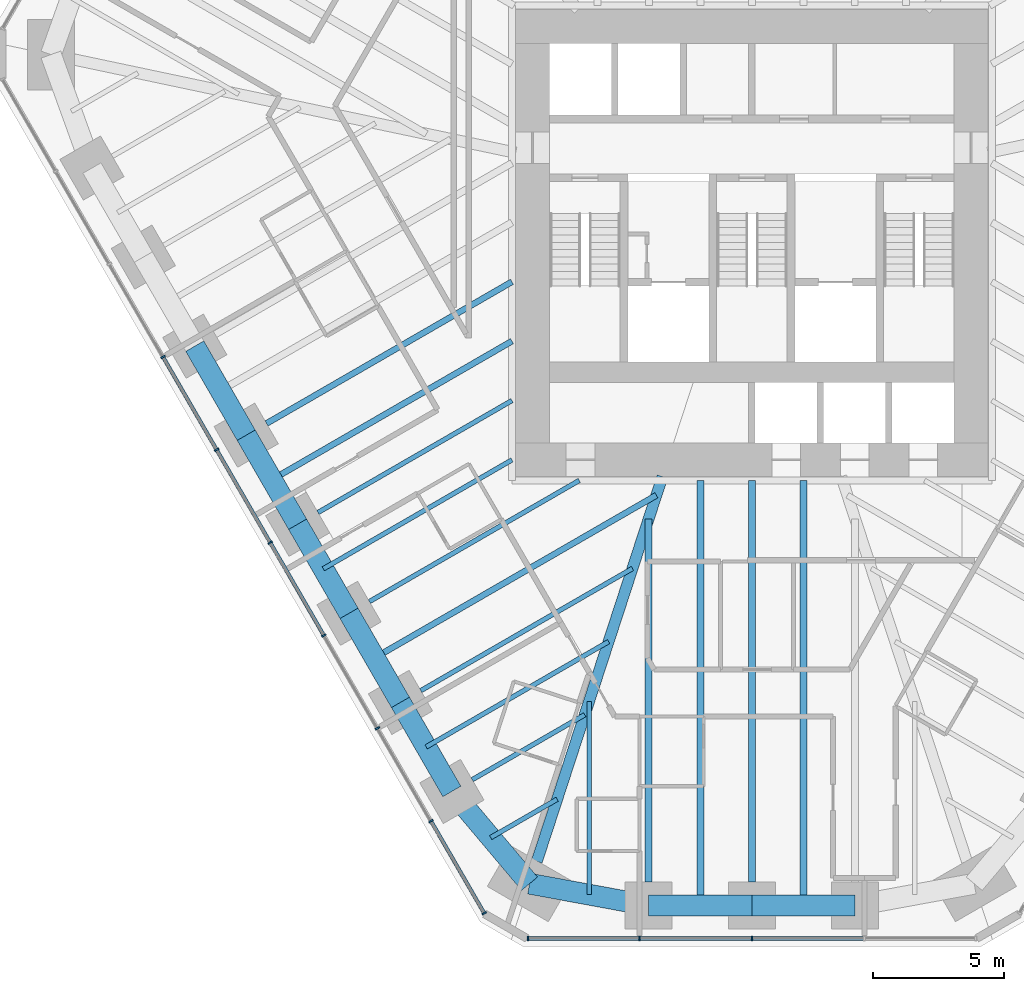
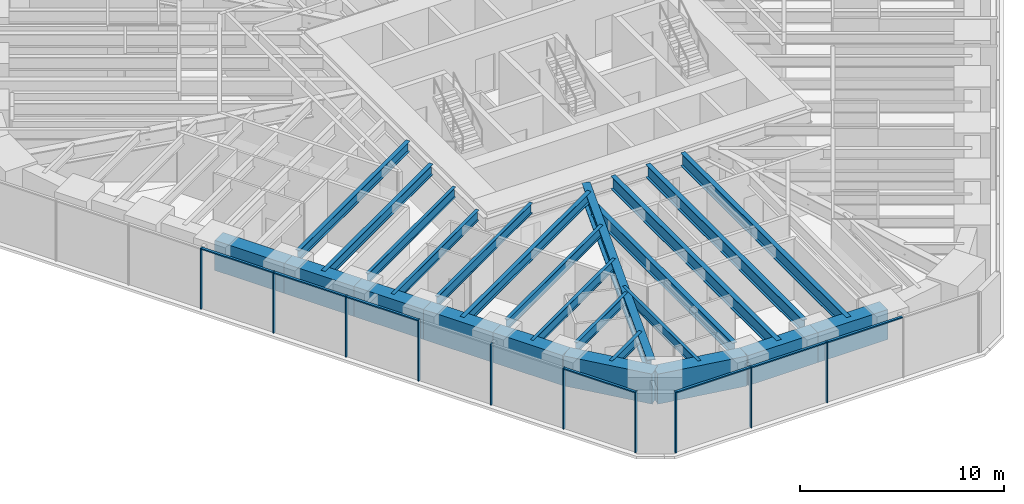
# One storey, part 2 of 17: 25 beams, 17 members, 2 elements without a shape of their own.
"""IFC4 building model written with IfcOpenShell, lengths in metres."""

from ifc_helpers import new_model, si_unit, direction, frame, origin, origin_2d, place, context, subcontext, project, spatial, rectangle, i_section, extrude, material, material_profile, profile_set, type_object, element, aggregate, save


model = new_model("IFC4")

# Units and contexts
model_context = context("Model", 3, precision=1e-05, world=origin(), true_north=direction((0.0, 1.0)))
body_context = subcontext(model_context, "Body", "Model", "MODEL_VIEW")
ifc_project = project(units=[si_unit("LENGTHUNIT", "METRE"), si_unit("AREAUNIT", "SQUARE_METRE"), si_unit("VOLUMEUNIT", "CUBIC_METRE"), si_unit("PLANEANGLEUNIT", "RADIAN"), si_unit("MASSUNIT", "GRAM", prefix="KILO")], contexts=[model_context])

# Site, building, storey
site_placement = place(None, origin())
site = spatial("IfcSite", under=ifc_project, at=site_placement, CompositionType="ELEMENT")
building_placement = place(site_placement, origin())
building = spatial("IfcBuilding", under=site, at=building_placement, Name="Sandreach Pilgrim Tower", CompositionType="ELEMENT")
storey_placement = place(building_placement, frame((0.0, 0.0, 127.199951171875)))
storey = spatial("IfcBuildingStorey", under=building, at=storey_placement, Name="L31", CompositionType="ELEMENT", Elevation=127.199951171875)

# Curtain wall, members
ifc_material_1 = material(Name="Aluminium framed curtain wall", Category="aluminium")
curtain_wall_type = type_object("IfcCurtainWallType", Name="Hotel tower curtain wall", PredefinedType="NOTDEFINED", material=ifc_material_1)
curtain_wall_1_placement = place(storey_placement, origin())
curtain_wall_1 = element("IfcCurtainWall", 1, at=curtain_wall_1_placement, inside=storey, type_object=curtain_wall_type, Name="CW-2 L31 S", PredefinedType="NOTDEFINED")
ifc_material_2 = material(Name="Aluminium extrusion", Category="aluminium")
ifc_material_profile_1 = material_profile(ifc_material_2, rectangle(XDim=0.06494140625, YDim=0.179931640625, at=origin_2d()), Name="CW-2M 65X180")
ifc_profile_set_1 = profile_set([ifc_material_profile_1], Name="Aluminium extrusion")
member_type_1 = type_object("IfcMemberType", Name="CW-2 mullion", PredefinedType="MULLION", material=ifc_profile_set_1)
member_1_placement = place(storey_placement, frame((0.0, -28.192138671875, 0.0), z_axis=(0.0, 0.0, 1.0), x_axis=(-1.0, 0.0, 0.0)))
member_1 = element("IfcMember", 2, at=member_1_placement, type_object=member_type_1, Name="CW-2 mullion 3", PredefinedType="MULLION", context=body_context, shape_type="SweptSolid", body=[
    extrude(rectangle(XDim=0.06494140625, YDim=0.179931640625, at=origin_2d()), origin(), (0.0, 0.0, 1.0), 3.64013671875),
])
member_2_placement = place(storey_placement, frame((-4.3056640625, -28.192138671875, 0.0), z_axis=(0.0, 0.0, 1.0), x_axis=(-1.0, 0.0, 0.0)))
member_2 = element("IfcMember", 3, at=member_2_placement, type_object=member_type_1, Name="CW-2 mullion 4", PredefinedType="MULLION", context=body_context, shape_type="SweptSolid", body=[
    extrude(rectangle(XDim=0.06494140625, YDim=0.179931640625, at=origin_2d()), origin(), (0.0, 0.0, 1.0), 3.64013671875),
])
member_3_placement = place(storey_placement, frame((-8.578857421875, -28.192138671875, 0.0), z_axis=(0.0, 0.0, 1.0), x_axis=(-1.0, 0.0, 0.0)))
member_3 = element("IfcMember", 4, at=member_3_placement, type_object=member_type_1, Name="CW-2 mullion 5", PredefinedType="MULLION", context=body_context, shape_type="SweptSolid", body=[
    extrude(rectangle(XDim=0.06494140625, YDim=0.179931640625, at=origin_2d()), origin(), (0.0, 0.0, 1.0), 3.64013671875),
])

curtain_wall_2_placement = place(storey_placement, origin())
curtain_wall_2 = element("IfcCurtainWall", 5, at=curtain_wall_2_placement, inside=storey, type_object=curtain_wall_type, Name="CW-2 L31 SW", PredefinedType="NOTDEFINED")
member_4_placement = place(storey_placement, frame((-10.255859375, -27.22412109375, 0.0), z_axis=(0.0, 0.0, 1.0), x_axis=(-0.5, 0.866025403784, 0.0)))
member_4 = element("IfcMember", 6, at=member_4_placement, type_object=member_type_1, Name="CW-2 mullion 1", PredefinedType="MULLION", context=body_context, shape_type="SweptSolid", body=[
    extrude(rectangle(XDim=0.06494140625, YDim=0.179931640625, at=origin_2d()), origin(), (0.0, 0.0, 1.0), 3.64013671875),
])
member_5_placement = place(storey_placement, frame((-12.29296875, -23.695556640625, 0.0), z_axis=(0.0, 0.0, 1.0), x_axis=(-0.5, 0.866025403784, 0.0)))
member_5 = element("IfcMember", 7, at=member_5_placement, type_object=member_type_1, Name="CW-2 mullion 2", PredefinedType="MULLION", context=body_context, shape_type="SweptSolid", body=[
    extrude(rectangle(XDim=0.06494140625, YDim=0.179931640625, at=origin_2d()), origin(), (0.0, 0.0, 1.0), 3.64013671875),
])
member_6_placement = place(storey_placement, frame((-14.346435546875, -20.138671875, 0.0), z_axis=(0.0, 0.0, 1.0), x_axis=(-0.5, 0.866025403784, 0.0)))
member_6 = element("IfcMember", 8, at=member_6_placement, type_object=member_type_1, Name="CW-2 mullion 3", PredefinedType="MULLION", context=body_context, shape_type="SweptSolid", body=[
    extrude(rectangle(XDim=0.06494140625, YDim=0.179931640625, at=origin_2d()), origin(), (0.0, 0.0, 1.0), 3.64013671875),
])
member_7_placement = place(storey_placement, frame((-16.39990234375, -16.58203125, 0.0), z_axis=(0.0, 0.0, 1.0), x_axis=(-0.5, 0.866025403784, 0.0)))
member_7 = element("IfcMember", 9, at=member_7_placement, type_object=member_type_1, Name="CW-2 mullion 4", PredefinedType="MULLION", context=body_context, shape_type="SweptSolid", body=[
    extrude(rectangle(XDim=0.06494140625, YDim=0.179931640625, at=origin_2d()), origin(), (0.0, 0.0, 1.0), 3.64013671875),
])
member_8_placement = place(storey_placement, frame((-18.453369140625, -13.025146484375, 0.0), z_axis=(0.0, 0.0, 1.0), x_axis=(-0.5, 0.866025403784, 0.0)))
member_8 = element("IfcMember", 10, at=member_8_placement, type_object=member_type_1, Name="CW-2 mullion 5", PredefinedType="MULLION", context=body_context, shape_type="SweptSolid", body=[
    extrude(rectangle(XDim=0.06494140625, YDim=0.179931640625, at=origin_2d()), origin(), (0.0, 0.0, 1.0), 3.64013671875),
])
member_9_placement = place(storey_placement, frame((-20.5068359375, -9.468505859375, 0.0), z_axis=(0.0, 0.0, 1.0), x_axis=(-0.5, 0.866025403784, 0.0)))
member_9 = element("IfcMember", 11, at=member_9_placement, type_object=member_type_1, Name="CW-2 mullion 6", PredefinedType="MULLION", context=body_context, shape_type="SweptSolid", body=[
    extrude(rectangle(XDim=0.06494140625, YDim=0.179931640625, at=origin_2d()), origin(), (0.0, 0.0, 1.0), 3.64013671875),
])
member_10_placement = place(storey_placement, frame((-22.560302734375, -5.911865234375, 0.0), z_axis=(0.0, 0.0, 1.0), x_axis=(-0.5, 0.866025403784, 0.0)))
member_10 = element("IfcMember", 12, at=member_10_placement, type_object=member_type_1, Name="CW-2 mullion 7", PredefinedType="MULLION", context=body_context, shape_type="SweptSolid", body=[
    extrude(rectangle(XDim=0.06494140625, YDim=0.179931640625, at=origin_2d()), origin(), (0.0, 0.0, 1.0), 3.64013671875),
])

# Member
ifc_material_3 = material(Name="Aluminium extrusion", Category="aluminium")
ifc_material_profile_2 = material_profile(ifc_material_3, rectangle(XDim=0.139892578125, YDim=0.070068359375, at=origin_2d()), Name="CW-2T 140X70")
ifc_profile_set_2 = profile_set([ifc_material_profile_2], Name="Aluminium extrusion")
member_type_2 = type_object("IfcMemberType", Name="CW-2 transom", PredefinedType="USERDEFINED", material=ifc_profile_set_2)
member_11_placement = place(storey_placement, frame((4.273193359375, -28.192138671875, 3.60498046875), z_axis=(-1.0, 0.0, 0.0), x_axis=(0.0, -1.0, 0.0)))
member_11 = element("IfcMember", 13, at=member_11_placement, type_object=member_type_2, Name="CW-2 head transom 2", ObjectType="TRANSOM", PredefinedType="USERDEFINED", context=body_context, shape_type="SweptSolid", body=[
    extrude(rectangle(XDim=0.139892578125, YDim=0.070068359375, at=origin_2d()), origin(), (0.0, 0.0, 1.0), 4.24072265625),
])

member_12_placement = place(storey_placement, frame((-0.032470703125, -28.192138671875, 3.60498046875), z_axis=(-1.0, 0.0, 0.0), x_axis=(0.0, -1.0, 0.0)))
member_12 = element("IfcMember", 14, at=member_12_placement, type_object=member_type_2, Name="CW-2 head transom 3", ObjectType="TRANSOM", PredefinedType="USERDEFINED", context=body_context, shape_type="SweptSolid", body=[
    extrude(rectangle(XDim=0.139892578125, YDim=0.070068359375, at=origin_2d()), origin(), (0.0, 0.0, 1.0), 4.24072265625),
])

member_13_placement = place(storey_placement, frame((-4.338134765625, -28.192138671875, 3.60498046875), z_axis=(-1.0, 0.0, 0.0), x_axis=(0.0, -1.0, 0.0)))
member_13 = element("IfcMember", 15, at=member_13_placement, type_object=member_type_2, Name="CW-2 head transom 4", ObjectType="TRANSOM", PredefinedType="USERDEFINED", context=body_context, shape_type="SweptSolid", body=[
    extrude(rectangle(XDim=0.139892578125, YDim=0.070068359375, at=origin_2d()), origin(), (0.0, 0.0, 1.0), 4.208251953125),
])

aggregate(curtain_wall_1, [member_1, member_2, member_3, member_11, member_12, member_13])

member_14_placement = place(storey_placement, frame((-10.27197265625, -27.196044921875, 3.60498046875), z_axis=(-0.500015851672, 0.866016251624, 0.0), x_axis=(-0.866016251624, -0.500015851672, 0.0)))
member_14 = element("IfcMember", 16, at=member_14_placement, type_object=member_type_2, Name="CW-2 head transom 1", ObjectType="TRANSOM", PredefinedType="USERDEFINED", context=body_context, shape_type="SweptSolid", body=[
    extrude(rectangle(XDim=0.139892578125, YDim=0.070068359375, at=origin_2d()), origin(), (0.0, 0.0, 1.0), 4.009521484375),
])

member_15_placement = place(storey_placement, frame((-16.416259765625, -16.553955078125, 3.60498046875), z_axis=(-0.499997818338, 0.866026663364, 0.0), x_axis=(-0.866026663364, -0.499997818338, 0.0)))
member_15 = element("IfcMember", 17, at=member_15_placement, type_object=member_type_2, Name="CW-2 head transom 4", ObjectType="TRANSOM", PredefinedType="USERDEFINED", context=body_context, shape_type="SweptSolid", body=[
    extrude(rectangle(XDim=0.139892578125, YDim=0.070068359375, at=origin_2d()), origin(), (0.0, 0.0, 1.0), 4.0419921875),
])

member_16_placement = place(storey_placement, frame((-18.4697265625, -12.9970703125, 3.60498046875), z_axis=(-0.499997818338, 0.866026663364, 0.0), x_axis=(-0.866026663364, -0.499997818338, 0.0)))
member_16 = element("IfcMember", 18, at=member_16_placement, type_object=member_type_2, Name="CW-2 head transom 5", ObjectType="TRANSOM", PredefinedType="USERDEFINED", context=body_context, shape_type="SweptSolid", body=[
    extrude(rectangle(XDim=0.139892578125, YDim=0.070068359375, at=origin_2d()), origin(), (0.0, 0.0, 1.0), 4.0419921875),
])

member_17_placement = place(storey_placement, frame((-20.523193359375, -9.4404296875, 3.60498046875), z_axis=(-0.499997818338, 0.866026663364, 0.0), x_axis=(-0.866026663364, -0.499997818338, 0.0)))
member_17 = element("IfcMember", 19, at=member_17_placement, type_object=member_type_2, Name="CW-2 head transom 6", ObjectType="TRANSOM", PredefinedType="USERDEFINED", context=body_context, shape_type="SweptSolid", body=[
    extrude(rectangle(XDim=0.139892578125, YDim=0.070068359375, at=origin_2d()), origin(), (0.0, 0.0, 1.0), 4.0419921875),
])

aggregate(curtain_wall_2, [member_4, member_5, member_6, member_7, member_8, member_9, member_10, member_14, member_15, member_16, member_17])

# Beams
ifc_material_4 = material(Name="Steel ASTM A992 Grade 50", Category="steel")
ifc_material_profile_3 = material_profile(ifc_material_4, i_section(OverallWidth=0.421630859375, OverallDepth=0.95751953125, WebThickness=0.02587890625, FlangeThickness=0.046875, at=origin_2d()), Name="W36X330")
ifc_profile_set_3 = profile_set([ifc_material_profile_3], Name="Steel ASTM A992 Grade 50")
beam_type_1 = type_object("IfcBeamType", Name="Corner girder W36X330", PredefinedType="BEAM", material=ifc_profile_set_3)
beam_1_placement = place(storey_placement, frame((-8.238525390625, -25.23876953125, 3.161376953125), z_axis=(0.310307109519, 0.950636364643, 0.0), x_axis=(-0.950636364643, 0.310307109519, 0.0)))
element("IfcBeam", 20, at=beam_1_placement, inside=storey, type_object=beam_type_1, Name="BM L31 CG26", PredefinedType="BEAM", context=body_context, shape_type="SweptSolid", body=[
    extrude(i_section(OverallWidth=0.421630859375, OverallDepth=0.95751953125, WebThickness=0.02587890625, FlangeThickness=0.046875, at=origin_2d()), origin(), (0.0, 0.0, 1.0), 15.504150390625),
])
ifc_material_5 = material(Name="Steel ASTM A992 Grade 50", Category="steel")
ifc_material_profile_4 = material_profile(ifc_material_5, i_section(OverallWidth=0.1787109375, OverallDepth=0.60205078125, WebThickness=0.010986328125, FlangeThickness=0.014892578125, at=origin_2d()), Name="W24X62")
ifc_profile_set_4 = profile_set([ifc_material_profile_4], Name="Steel ASTM A992 Grade 50")
beam_type_2 = type_object("IfcBeamType", Name="Floor beam W24X62", PredefinedType="BEAM", material=ifc_profile_set_4)
beam_2_placement = place(storey_placement, frame((-10.714599609375, -22.109130859375, 3.339111328125), z_axis=(0.866024645457, 0.500001313459, 0.0), x_axis=(-0.500001313459, 0.866024645457, 0.0)))
element("IfcBeam", 21, at=beam_2_placement, inside=storey, type_object=beam_type_2, Name="BM L31 F27", PredefinedType="BEAM", context=body_context, shape_type="SweptSolid", body=[
    extrude(i_section(OverallWidth=0.1787109375, OverallDepth=0.60205078125, WebThickness=0.010986328125, FlangeThickness=0.014892578125, at=origin_2d()), origin(), (0.0, 0.0, 1.0), 4.9765625),
])
beam_3_placement = place(storey_placement, frame((-12.6845703125, -18.697265625, 3.339111328125), z_axis=(0.866012351917, 0.500022605817, 0.0), x_axis=(-0.500022605817, 0.866012351917, 0.0)))
element("IfcBeam", 22, at=beam_3_placement, inside=storey, type_object=beam_type_2, Name="BM L31 F28", PredefinedType="BEAM", context=body_context, shape_type="SweptSolid", body=[
    extrude(i_section(OverallWidth=0.1787109375, OverallDepth=0.60205078125, WebThickness=0.010986328125, FlangeThickness=0.014892578125, at=origin_2d()), origin(), (0.0, 0.0, 1.0), 9.3642578125),
])
beam_4_placement = place(storey_placement, frame((-14.654541015625, -15.28515625, 3.339111328125), z_axis=(0.866015659929, 0.500016876472, 0.0), x_axis=(-0.500016876472, 0.866015659929, 0.0)))
element("IfcBeam", 23, at=beam_4_placement, inside=storey, type_object=beam_type_2, Name="BM L31 F29", PredefinedType="BEAM", context=body_context, shape_type="SweptSolid", body=[
    extrude(i_section(OverallWidth=0.1787109375, OverallDepth=0.60205078125, WebThickness=0.010986328125, FlangeThickness=0.014892578125, at=origin_2d()), origin(), (0.0, 0.0, 1.0), 9.283447265625),
])
beam_5_placement = place(storey_placement, frame((-16.62451171875, -11.873046875, 3.339111328125), z_axis=(0.866017857595, 0.500013070155, 0.0), x_axis=(-0.500013070155, 0.866017857595, 0.0)))
element("IfcBeam", 24, at=beam_5_placement, inside=storey, type_object=beam_type_2, Name="BM L31 F30", PredefinedType="BEAM", context=body_context, shape_type="SweptSolid", body=[
    extrude(i_section(OverallWidth=0.1787109375, OverallDepth=0.60205078125, WebThickness=0.010986328125, FlangeThickness=0.014892578125, at=origin_2d()), origin(), (0.0, 0.0, 1.0), 8.580810546875),
])
beam_6_placement = place(storey_placement, frame((-6.236572265625, -26.51318359375, 3.339111328125), z_axis=(0.0, 1.0, 0.0), x_axis=(-1.0, 0.0, 0.0)))
element("IfcBeam", 25, at=beam_6_placement, inside=storey, type_object=beam_type_2, Name="BM L31 FM25", PredefinedType="BEAM", context=body_context, shape_type="SweptSolid", body=[
    extrude(i_section(OverallWidth=0.1787109375, OverallDepth=0.60205078125, WebThickness=0.010986328125, FlangeThickness=0.014892578125, at=origin_2d()), origin(), (0.0, 0.0, 1.0), 7.40771484375),
])
beam_7_placement = place(storey_placement, frame((-10.006103515625, -24.326904296875, 3.339111328125), z_axis=(0.866015396618, 0.500017332519, 0.0), x_axis=(-0.500017332519, 0.866015396618, 0.0)))
element("IfcBeam", 26, at=beam_7_placement, inside=storey, type_object=beam_type_2, Name="BM L31 FM26", PredefinedType="BEAM", context=body_context, shape_type="SweptSolid", body=[
    extrude(i_section(OverallWidth=0.1787109375, OverallDepth=0.60205078125, WebThickness=0.010986328125, FlangeThickness=0.014892578125, at=origin_2d()), origin(), (0.0, 0.0, 1.0), 2.9384765625),
])
beam_8_placement = place(storey_placement, frame((-12.47900390625, -20.853271484375, 3.339111328125), z_axis=(0.866017328257, 0.500013986963, 0.0), x_axis=(-0.500013986963, 0.866017328257, 0.0)))
element("IfcBeam", 27, at=beam_8_placement, inside=storey, type_object=beam_type_2, Name="BM L31 FM27", PredefinedType="BEAM", context=body_context, shape_type="SweptSolid", body=[
    extrude(i_section(OverallWidth=0.1787109375, OverallDepth=0.60205078125, WebThickness=0.010986328125, FlangeThickness=0.014892578125, at=origin_2d()), origin(), (0.0, 0.0, 1.0), 8.070556640625),
])
beam_9_placement = place(storey_placement, frame((-16.4189453125, -14.029052734375, 3.339111328125), z_axis=(0.866016009309, 0.500016271356, 0.0), x_axis=(-0.500016271356, 0.866016009309, 0.0)))
element("IfcBeam", 28, at=beam_9_placement, inside=storey, type_object=beam_type_2, Name="BM L31 FM29", PredefinedType="BEAM", context=body_context, shape_type="SweptSolid", body=[
    extrude(i_section(OverallWidth=0.1787109375, OverallDepth=0.60205078125, WebThickness=0.010986328125, FlangeThickness=0.014892578125, at=origin_2d()), origin(), (0.0, 0.0, 1.0), 8.343505859375),
])
ifc_material_6 = material(Name="Steel ASTM A992 Grade 50", Category="steel")
ifc_material_profile_5 = material_profile(ifc_material_6, i_section(OverallWidth=0.23046875, OverallDepth=0.6171875, WebThickness=0.01318359375, FlangeThickness=0.022216796875, at=origin_2d()), Name="W24X94")
ifc_profile_set_5 = profile_set([ifc_material_profile_5], Name="Steel ASTM A992 Grade 50")
beam_type_3 = type_object("IfcBeamType", Name="Floor beam W24X94", PredefinedType="BEAM", material=ifc_profile_set_5)
beam_10_placement = place(storey_placement, frame((-18.594482421875, -8.4609375, 3.33154296875), z_axis=(0.866015926388, 0.500016414973, 0.0), x_axis=(-0.500016414973, 0.866015926388, 0.0)))
element("IfcBeam", 29, at=beam_10_placement, inside=storey, type_object=beam_type_3, Name="BM L31 F31", PredefinedType="BEAM", context=body_context, shape_type="SweptSolid", body=[
    extrude(i_section(OverallWidth=0.23046875, OverallDepth=0.6171875, WebThickness=0.01318359375, FlangeThickness=0.022216796875, at=origin_2d()), origin(), (0.0, 0.0, 1.0), 10.855712890625),
])
beam_11_placement = place(storey_placement, frame((-14.448974609375, -17.441162109375, 3.33154296875), z_axis=(0.866019150617, 0.500010830648, 0.0), x_axis=(-0.500010830648, 0.866019150617, 0.0)))
element("IfcBeam", 30, at=beam_11_placement, inside=storey, type_object=beam_type_3, Name="BM L31 FM28", PredefinedType="BEAM", context=body_context, shape_type="SweptSolid", body=[
    extrude(i_section(OverallWidth=0.23046875, OverallDepth=0.6171875, WebThickness=0.01318359375, FlangeThickness=0.022216796875, at=origin_2d()), origin(), (0.0, 0.0, 1.0), 12.458251953125),
])
beam_12_placement = place(storey_placement, frame((-18.388916015625, -10.616943359375, 3.33154296875), z_axis=(0.866024387147, 0.500001760863, 0.0), x_axis=(-0.500001760863, 0.866024387147, 0.0)))
element("IfcBeam", 31, at=beam_12_placement, inside=storey, type_object=beam_type_3, Name="BM L31 FM30", PredefinedType="BEAM", context=body_context, shape_type="SweptSolid", body=[
    extrude(i_section(OverallWidth=0.23046875, OverallDepth=0.6171875, WebThickness=0.01318359375, FlangeThickness=0.022216796875, at=origin_2d()), origin(), (0.0, 0.0, 1.0), 10.6181640625),
])
ifc_material_7 = material(Name="Steel ASTM A992 Grade 50", Category="steel")
ifc_material_profile_6 = material_profile(ifc_material_7, i_section(OverallWidth=0.2666015625, OverallDepth=0.761962890625, WebThickness=0.014404296875, FlangeThickness=0.021484375, at=origin_2d()), Name="W30X116")
ifc_profile_set_6 = profile_set([ifc_material_profile_6], Name="Steel ASTM A992 Grade 50")
beam_type_4 = type_object("IfcBeamType", Name="Floor beam W30X116", PredefinedType="BEAM", material=ifc_profile_set_6)
beam_13_placement = place(storey_placement, frame((-3.955322265625, -26.0322265625, 3.259033203125), z_axis=(0.0, 1.0, 0.0), x_axis=(-1.0, 0.0, 0.0)))
element("IfcBeam", 32, at=beam_13_placement, inside=storey, type_object=beam_type_4, Name="BM L31 F25", PredefinedType="BEAM", context=body_context, shape_type="SweptSolid", body=[
    extrude(i_section(OverallWidth=0.2666015625, OverallDepth=0.761962890625, WebThickness=0.014404296875, FlangeThickness=0.021484375, at=origin_2d()), origin(), (0.0, 0.0, 1.0), 13.91552734375),
])
ifc_material_8 = material(Name="Steel ASTM A992 Grade 50", Category="steel")
ifc_material_profile_7 = material_profile(ifc_material_8, i_section(OverallWidth=0.2666015625, OverallDepth=0.77978515625, WebThickness=0.0166015625, FlangeThickness=0.030029296875, at=origin_2d()), Name="W30X148")
ifc_profile_set_7 = profile_set([ifc_material_profile_7], Name="Steel ASTM A992 Grade 50")
beam_type_5 = type_object("IfcBeamType", Name="Floor beam W30X148", PredefinedType="BEAM", material=ifc_profile_set_7)
beam_14_placement = place(storey_placement, frame((0.0, -26.0322265625, 3.250244140625), z_axis=(0.0, 1.0, 0.0), x_axis=(-1.0, 0.0, 0.0)))
element("IfcBeam", 33, at=beam_14_placement, inside=storey, type_object=beam_type_5, Name="BM L31 F24", PredefinedType="BEAM", context=body_context, shape_type="SweptSolid", body=[
    extrude(i_section(OverallWidth=0.2666015625, OverallDepth=0.77978515625, WebThickness=0.0166015625, FlangeThickness=0.030029296875, at=origin_2d()), origin(), (0.0, 0.0, 1.0), 15.388916015625),
])
for number, where, z_axis, x_axis, name in (
    (34, (1.9775390625, -26.93212890625, 3.250244140625), (0.0, 1.0, 0.0), (-1.0, 0.0, 0.0), "BM L31 FM23"),
    (35, (-1.9775390625, -26.93212890625, 3.250244140625), (0.0, 1.0, 0.0), (-1.0, 0.0, 0.0), "BM L31 FM24"),
):
    element("IfcBeam", number, at=place(storey_placement, frame(where, z_axis=z_axis, x_axis=x_axis)), inside=storey, type_object=beam_type_5, Name=name, PredefinedType="BEAM", context=body_context, shape_type="SweptSolid", body=[
        extrude(i_section(OverallWidth=0.2666015625, OverallDepth=0.77978515625, WebThickness=0.0166015625, FlangeThickness=0.030029296875, at=origin_2d()), origin(), (0.0, 0.0, 1.0), 16.288818359375),
    ])
ifc_material_9 = material(Name="Concrete 10000 psi", Category="concrete")
ifc_material_profile_8 = material_profile(ifc_material_9, rectangle(XDim=0.800048828125, YDim=1.800048828125, at=origin_2d()), Name="RC800X1800")
ifc_profile_set_8 = profile_set([ifc_material_profile_8], Name="Concrete 10000 psi")
beam_type_6 = type_object("IfcBeamType", Name="Spandrel beam RC800X1800", PredefinedType="SPANDREL", material=ifc_profile_set_8)
for number, where, z_axis, x_axis, name in (
    (36, (3.955322265625, -26.93212890625, 2.739990234375), (-1.0, 0.0, 0.0), (0.0, -1.0, 0.0), "BM L31 SP23"),
    (37, (0.0, -26.93212890625, 2.739990234375), (-1.0, 0.0, 0.0), (0.0, -1.0, 0.0), "BM L31 SP24"),
):
    element("IfcBeam", number, at=place(storey_placement, frame(where, z_axis=z_axis, x_axis=x_axis)), inside=storey, type_object=beam_type_6, Name=name, PredefinedType="SPANDREL", context=body_context, shape_type="SweptSolid", body=[
        extrude(rectangle(XDim=0.800048828125, YDim=1.800048828125, at=origin_2d()), origin(), (0.0, 0.0, 1.0), 3.955322265625),
    ])
beam_15_placement = place(storey_placement, frame((-3.955322265625, -26.93212890625, 2.739990234375), z_axis=(-0.983551746136, 0.180626583516, 0.0), x_axis=(-0.180626583516, -0.983551746136, 0.0)))
element("IfcBeam", 38, at=beam_15_placement, inside=storey, type_object=beam_type_6, Name="BM L31 SP25", PredefinedType="SPANDREL", context=body_context, shape_type="SweptSolid", body=[
    extrude(rectangle(XDim=0.800048828125, YDim=1.800048828125, at=origin_2d()), origin(), (0.0, 0.0, 1.0), 4.638916015625),
])
beam_16_placement = place(storey_placement, frame((-8.517822265625, -26.09423828125, 2.739990234375), z_axis=(-0.644078801547, 0.764959147535, 0.0), x_axis=(-0.764959147535, -0.644078801547, 0.0)))
element("IfcBeam", 39, at=beam_16_placement, inside=storey, type_object=beam_type_6, Name="BM L31 SP26", PredefinedType="SPANDREL", context=body_context, shape_type="SweptSolid", body=[
    extrude(rectangle(XDim=0.800048828125, YDim=1.800048828125, at=origin_2d()), origin(), (0.0, 0.0, 1.0), 4.62109375),
])
for number, where, z_axis, x_axis, name in (
    (40, (-11.494140625, -22.559326171875, 2.739990234375), (-0.49999779889, 0.866026674592, 0.0), (-0.866026674592, -0.49999779889, 0.0), "BM L31 SP27"),
    (41, (-13.464111328125, -19.147216796875, 2.739990234375), (-0.49999779889, 0.866026674592, 0.0), (-0.866026674592, -0.49999779889, 0.0), "BM L31 SP28"),
    (42, (-15.43408203125, -15.735107421875, 2.739990234375), (-0.49999779889, 0.866026674592, 0.0), (-0.866026674592, -0.49999779889, 0.0), "BM L31 SP29"),
    (43, (-17.404052734375, -12.322998046875, 2.739990234375), (-0.49999779889, 0.866026674592, 0.0), (-0.866026674592, -0.49999779889, 0.0), "BM L31 SP30"),
    (44, (-19.3740234375, -8.910888671875, 2.739990234375), (-0.49999779889, 0.866026674592, 0.0), (-0.866026674592, -0.49999779889, 0.0), "BM L31 SP31"),
):
    element("IfcBeam", number, at=place(storey_placement, frame(where, z_axis=z_axis, x_axis=x_axis)), inside=storey, type_object=beam_type_6, Name=name, PredefinedType="SPANDREL", context=body_context, shape_type="SweptSolid", body=[
        extrude(rectangle(XDim=0.800048828125, YDim=1.800048828125, at=origin_2d()), origin(), (0.0, 0.0, 1.0), 3.93994140625),
    ])

save(model, "model.ifc")
